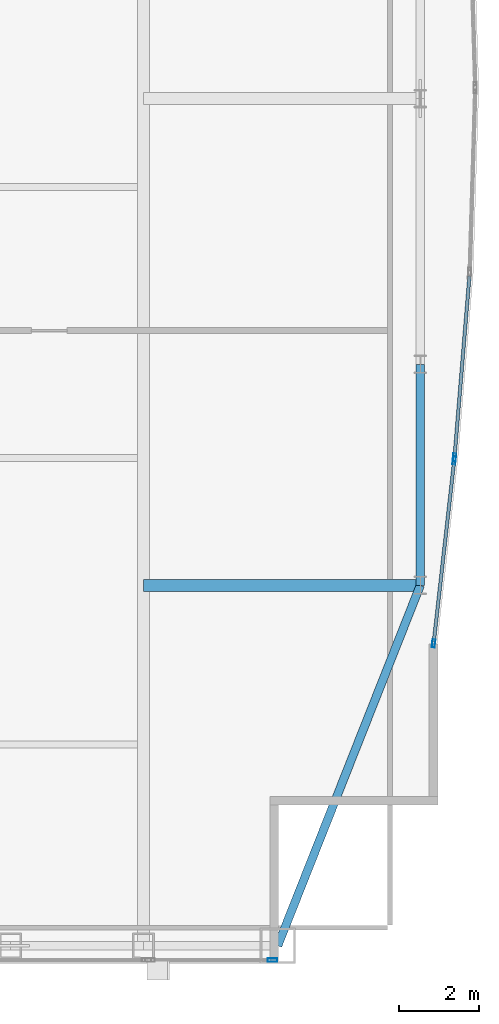
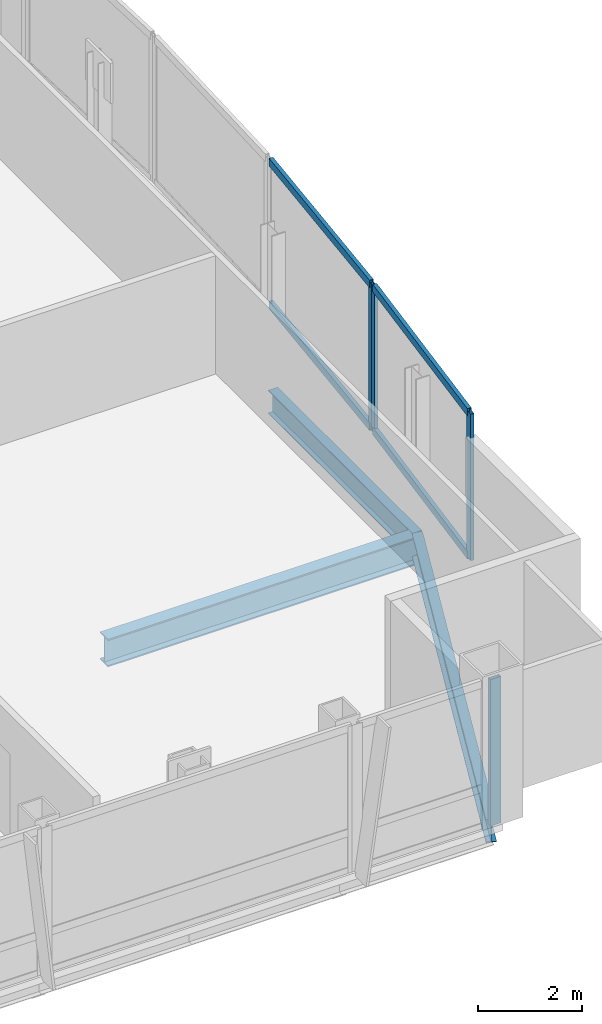
# One storey, part 13 of 25: 8 members, 3 beams, 3 elements without a shape of their own.
"""IFC4 building model written with IfcOpenShell, lengths in metres."""

from ifc_helpers import new_model, si_unit, direction, frame, origin, origin_2d, place, context, subcontext, project, spatial, hollow_rectangle, i_section, extrude, material, material_profile, profile_set, type_object, element, aggregate, save


model = new_model("IFC4")

# Units and contexts
model_context = context("Model", 3, precision=1e-05, world=origin(), true_north=direction((0.0, 1.0)))
body_context = subcontext(model_context, "Body", "Model", "MODEL_VIEW")
ifc_project = project(units=[si_unit("LENGTHUNIT", "METRE"), si_unit("AREAUNIT", "SQUARE_METRE"), si_unit("VOLUMEUNIT", "CUBIC_METRE"), si_unit("PLANEANGLEUNIT", "RADIAN"), si_unit("MASSUNIT", "GRAM", prefix="KILO")], contexts=[model_context])

# Site, building, storey
site_placement = place(None, origin())
site = spatial("IfcSite", under=ifc_project, at=site_placement, CompositionType="ELEMENT")
building_placement = place(site_placement, origin())
building = spatial("IfcBuilding", under=site, at=building_placement, Name="Khoronbel Lancet Exchange", CompositionType="ELEMENT")
storey_placement = place(building_placement, frame((0.0, 0.0, 298.60009765625)))
storey = spatial("IfcBuildingStorey", under=building, at=storey_placement, Name="L77", CompositionType="ELEMENT", Elevation=298.60009765625)

# Beams
ifc_material_1 = material(Name="Steel S355", Category="steel")
ifc_material_profile_1 = material_profile(ifc_material_1, i_section(OverallWidth=0.300048828125, OverallDepth=0.64990234375, WebThickness=0.01611328125, FlangeThickness=0.031005859375, at=origin_2d()), Name="HEB 650")
ifc_profile_set_1 = profile_set([ifc_material_profile_1], Name="Steel S355")
beam_type_1 = type_object("IfcBeamType", Name="BM-BG4", PredefinedType="BEAM", material=ifc_profile_set_1)
beam_1_placement = place(storey_placement, frame((54.675048828125, 19.199951171875, -0.485107421875), z_axis=(1.0, 0.0, 0.0), x_axis=(0.0, 1.0, 0.0)))
element("IfcBeam", 1, at=beam_1_placement, inside=storey, type_object=beam_type_1, Name="Level L77 east lens tie girder LG1E", PredefinedType="BEAM", context=body_context, shape_type="SweptSolid", body=[
    extrude(i_section(OverallWidth=0.300048828125, OverallDepth=0.64990234375, WebThickness=0.01611328125, FlangeThickness=0.031005859375, at=origin_2d()), origin(), (0.0, 0.0, 1.0), 6.954833984375),
])
ifc_material_profile_2 = material_profile(ifc_material_1, i_section(OverallWidth=0.2099609375, OverallDepth=0.550048828125, WebThickness=0.010986328125, FlangeThickness=0.01708984375, at=origin_2d()), Name="IPE 550")
ifc_profile_set_2 = profile_set([ifc_material_profile_2], Name="Steel S355")
beam_type_2 = type_object("IfcBeamType", Name="BM-BSP3", PredefinedType="SPANDREL", material=ifc_profile_set_2)
beam_2_placement = place(storey_placement, frame((58.050048828125, 10.14990234375, -0.43505859375), z_axis=(0.367828403855, 0.929893684954, 0.0), x_axis=(-0.929893684954, 0.367828403855, 0.0)))
element("IfcBeam", 2, at=beam_2_placement, inside=storey, type_object=beam_type_2, Name="Level L77 perimeter spandrel beam SP10", PredefinedType="SPANDREL", context=body_context, shape_type="SweptSolid", body=[
    extrude(i_section(OverallWidth=0.2099609375, OverallDepth=0.550048828125, WebThickness=0.010986328125, FlangeThickness=0.01708984375, at=origin_2d()), origin(), (0.0, 0.0, 1.0), 9.732421875),
])
beam_3_placement = place(storey_placement, frame((61.6298828125, 19.199951171875, -0.43505859375), z_axis=(0.0, 1.0, 0.0), x_axis=(-1.0, 0.0, 0.0)))
element("IfcBeam", 3, at=beam_3_placement, inside=storey, type_object=beam_type_2, Name="Level L77 perimeter spandrel beam SP11", PredefinedType="SPANDREL", context=body_context, shape_type="SweptSolid", body=[
    extrude(i_section(OverallWidth=0.2099609375, OverallDepth=0.550048828125, WebThickness=0.010986328125, FlangeThickness=0.01708984375, at=origin_2d()), origin(), (0.0, 0.0, 1.0), 5.550048828125),
])

# Curtain wall, member
ifc_material_2 = material(Name="Low-E Solar Control Insulating Glass", Category="glass")
curtain_wall_type_1 = type_object("IfcCurtainWallType", Name="CW-3", PredefinedType="NOTDEFINED", material=ifc_material_2)
curtain_wall_1_placement = place(storey_placement, origin())
curtain_wall_1 = element("IfcCurtainWall", 4, at=curtain_wall_1_placement, inside=storey, type_object=curtain_wall_type_1, Name="Unitised curtain wall CW-L77-SEV", PredefinedType="NOTDEFINED")
ifc_material_3 = material(Name="Bronze-Anodised Aluminium 6063-T6", Category="aluminium")
ifc_material_profile_3 = material_profile(ifc_material_3, hollow_rectangle(XDim=0.0849609375, YDim=0.239990234375, WallThickness=0.006103515625, at=origin_2d()), Name="ALU MULLION 85x240")
ifc_profile_set_3 = profile_set([ifc_material_profile_3], Name="Bronze-Anodised Aluminium 6063-T6")
member_type_1 = type_object("IfcMemberType", Name="MEM-CWM1", PredefinedType="MULLION", material=ifc_profile_set_3)
member_1_placement = place(storey_placement, frame((57.91748046875, 9.7900390625, 0.0), z_axis=(0.0, 0.0, 1.0), x_axis=(0.0, 1.0, 0.0)))
member_1 = element("IfcMember", 5, at=member_1_placement, type_object=member_type_1, Name="CW3 mullion 2", PredefinedType="MULLION", context=body_context, shape_type="SweptSolid", body=[
    extrude(hollow_rectangle(XDim=0.0849609375, YDim=0.239990234375, WallThickness=0.006103515625, at=origin_2d()), origin(), (0.0, 0.0, 1.0), 3.43994140625),
])
aggregate(curtain_wall_1, [member_1])

curtain_wall_type_2 = type_object("IfcCurtainWallType", Name="CW-4", PredefinedType="NOTDEFINED", material=ifc_material_2)
curtain_wall_2_placement = place(storey_placement, origin())
curtain_wall_2 = element("IfcCurtainWall", 6, at=curtain_wall_2_placement, inside=storey, type_object=curtain_wall_type_2, Name="Unitised curtain wall CW-L77-E21", PredefinedType="NOTDEFINED")
ifc_material_profile_4 = material_profile(ifc_material_3, hollow_rectangle(XDim=0.074951171875, YDim=0.199951171875, WallThickness=0.0048828125, at=origin_2d()), Name="ALU MULLION 75x200")
ifc_profile_set_4 = profile_set([ifc_material_profile_4], Name="Bronze-Anodised Aluminium 6063-T6")
member_type_2 = type_object("IfcMemberType", Name="MEM-CWM2", PredefinedType="MULLION", material=ifc_profile_set_4)
member_2_placement = place(storey_placement, frame((62.488525390625, 22.412841796875, 0.0), z_axis=(0.0, 0.0, 1.0), x_axis=(0.996626353667, -0.082072596992, 0.0)))
member_2 = element("IfcMember", 7, at=member_2_placement, type_object=member_type_2, Name="CW4 mullion 2", PredefinedType="MULLION", context=body_context, shape_type="SweptSolid", body=[
    extrude(hollow_rectangle(XDim=0.074951171875, YDim=0.199951171875, WallThickness=0.0048828125, at=origin_2d()), origin(), (0.0, 0.0, 1.0), 3.43994140625),
])

# Curtain wall, members
curtain_wall_3_placement = place(storey_placement, origin())
curtain_wall_3 = element("IfcCurtainWall", 8, at=curtain_wall_3_placement, inside=storey, type_object=curtain_wall_type_2, Name="Unitised curtain wall CW-L77-E22", PredefinedType="NOTDEFINED")
member_3_placement = place(storey_placement, frame((62.481201171875, 22.338134765625, 0.0), z_axis=(0.0, 0.0, 1.0), x_axis=(0.993731788903, -0.111790570813, 0.0)))
member_3 = element("IfcMember", 9, at=member_3_placement, type_object=member_type_2, Name="CW4 mullion 1", PredefinedType="MULLION", context=body_context, shape_type="SweptSolid", body=[
    extrude(hollow_rectangle(XDim=0.074951171875, YDim=0.199951171875, WallThickness=0.0048828125, at=origin_2d()), origin(), (0.0, 0.0, 1.0), 3.43994140625),
])
member_4_placement = place(storey_placement, frame((61.964111328125, 17.7421875, 0.0), z_axis=(0.0, 0.0, 1.0), x_axis=(0.993731788903, -0.111790570813, 0.0)))
member_4 = element("IfcMember", 10, at=member_4_placement, type_object=member_type_2, Name="CW4 mullion 2", PredefinedType="MULLION", context=body_context, shape_type="SweptSolid", body=[
    extrude(hollow_rectangle(XDim=0.074951171875, YDim=0.199951171875, WallThickness=0.0048828125, at=origin_2d()), origin(), (0.0, 0.0, 1.0), 3.43994140625),
])

# Member
ifc_material_profile_5 = material_profile(ifc_material_3, hollow_rectangle(XDim=0.0849609375, YDim=0.179931640625, WallThickness=0.0048828125, at=origin_2d()), Name="ALU TRANSOM 85x180")
ifc_profile_set_5 = profile_set([ifc_material_profile_5], Name="Bronze-Anodised Aluminium 6063-T6")
member_type_3 = type_object("IfcMemberType", Name="MEM-CWT1", PredefinedType="USERDEFINED", material=ifc_profile_set_5)
member_5_placement = place(storey_placement, frame((62.86328125, 26.963623046875, 0.04248046875), z_axis=(-0.082104072496, -0.996623761145, 0.0), x_axis=(0.996623761145, -0.082104072496, 0.0)))
member_5 = element("IfcMember", 11, at=member_5_placement, type_object=member_type_3, Name="CW4 transom 1.1", ObjectType="TRANSOM", PredefinedType="USERDEFINED", context=body_context, shape_type="SweptSolid", body=[
    extrude(hollow_rectangle(XDim=0.0849609375, YDim=0.179931640625, WallThickness=0.0048828125, at=origin_2d()), origin(), (0.0, 0.0, 1.0), 4.52880859375),
])

member_6_placement = place(storey_placement, frame((62.86328125, 26.963623046875, 3.3974609375), z_axis=(-0.082104072496, -0.996623761145, 0.0), x_axis=(0.996623761145, -0.082104072496, 0.0)))
member_6 = element("IfcMember", 12, at=member_6_placement, type_object=member_type_3, Name="CW4 transom 1.2", ObjectType="TRANSOM", PredefinedType="USERDEFINED", context=body_context, shape_type="SweptSolid", body=[
    extrude(hollow_rectangle(XDim=0.0849609375, YDim=0.179931640625, WallThickness=0.0048828125, at=origin_2d()), origin(), (0.0, 0.0, 1.0), 4.52880859375),
])

aggregate(curtain_wall_2, [member_2, member_5, member_6])

member_7_placement = place(storey_placement, frame((62.47705078125, 22.30078125, 0.04248046875), z_axis=(-0.111774239585, -0.993733625961, 0.0), x_axis=(0.993733625961, -0.111774239585, 0.0)))
member_7 = element("IfcMember", 13, at=member_7_placement, type_object=member_type_3, Name="CW4 transom 1.1", ObjectType="TRANSOM", PredefinedType="USERDEFINED", context=body_context, shape_type="SweptSolid", body=[
    extrude(hollow_rectangle(XDim=0.0849609375, YDim=0.179931640625, WallThickness=0.0048828125, at=origin_2d()), origin(), (0.0, 0.0, 1.0), 4.5498046875),
])

member_8_placement = place(storey_placement, frame((62.47705078125, 22.30078125, 3.3974609375), z_axis=(-0.111774239585, -0.993733625961, 0.0), x_axis=(0.993733625961, -0.111774239585, 0.0)))
member_8 = element("IfcMember", 14, at=member_8_placement, type_object=member_type_3, Name="CW4 transom 1.2", ObjectType="TRANSOM", PredefinedType="USERDEFINED", context=body_context, shape_type="SweptSolid", body=[
    extrude(hollow_rectangle(XDim=0.0849609375, YDim=0.179931640625, WallThickness=0.0048828125, at=origin_2d()), origin(), (0.0, 0.0, 1.0), 4.5498046875),
])

aggregate(curtain_wall_3, [member_3, member_4, member_7, member_8])

save(model, "model.ifc")
